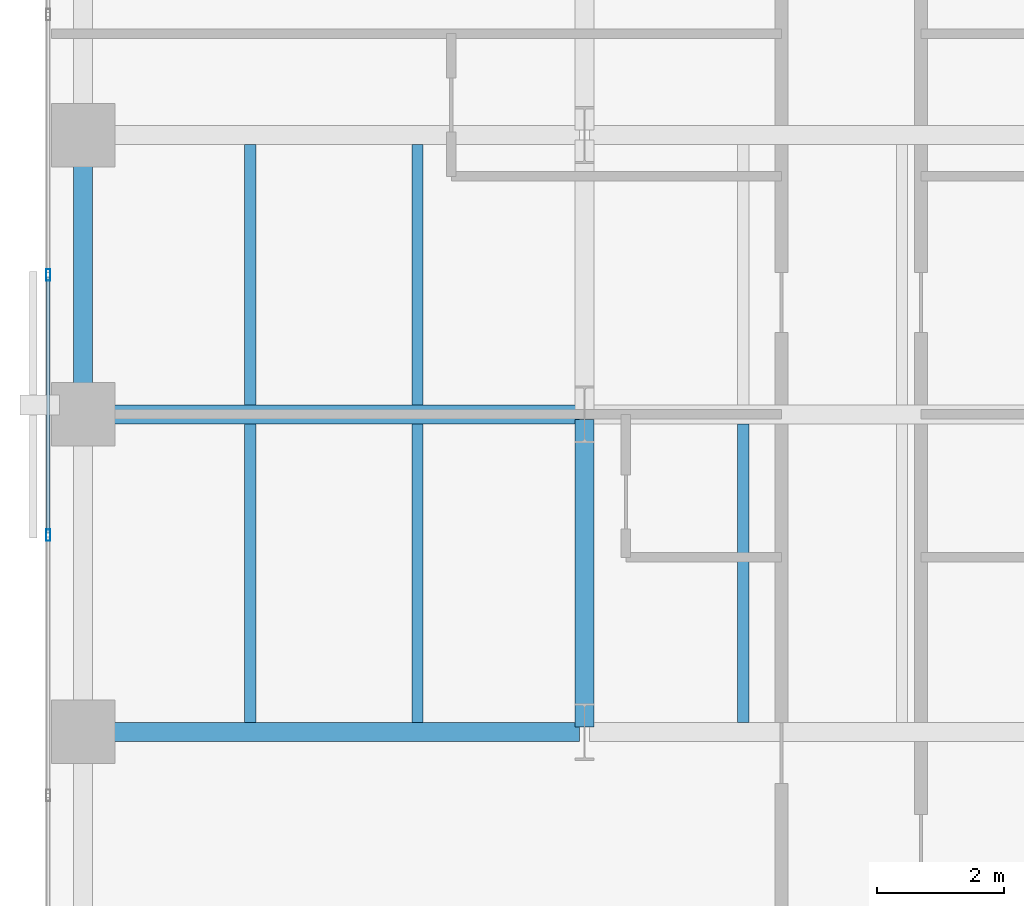
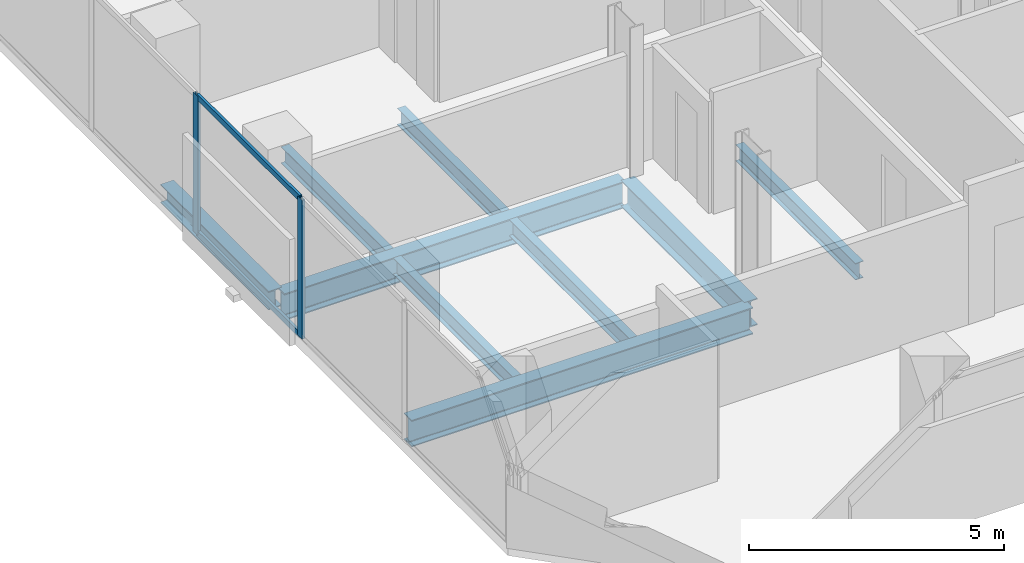
# One storey, part 4 of 32: 9 beams, 4 members, 1 element without a shape of its own.
"""IFC4 building model written with IfcOpenShell, lengths in metres."""

from ifc_helpers import new_model, si_unit, direction, frame, origin, origin_2d, place, context, subcontext, project, spatial, hollow_rectangle, i_section, extrude, material, layer, layer_set, material_profile, profile_set, type_object, element, aggregate, save


model = new_model("IFC4")

# Units and contexts
model_context = context("Model", 3, precision=1e-05, world=origin(), true_north=direction((0.0, 1.0)))
body_context = subcontext(model_context, "Body", "Model", "MODEL_VIEW")
ifc_project = project(units=[si_unit("LENGTHUNIT", "METRE"), si_unit("AREAUNIT", "SQUARE_METRE"), si_unit("VOLUMEUNIT", "CUBIC_METRE"), si_unit("PLANEANGLEUNIT", "RADIAN"), si_unit("MASSUNIT", "GRAM", prefix="KILO")], contexts=[model_context])

# Site, building, storey
site_placement = place(None, origin())
site = spatial("IfcSite", under=ifc_project, at=site_placement, CompositionType="ELEMENT")
building_placement = place(site_placement, origin())
building = spatial("IfcBuilding", under=site, at=building_placement, Name="Catumbela Crestline Tower", CompositionType="ELEMENT")
storey_placement = place(building_placement, frame((0.0, 0.0, 33.0)))
storey = spatial("IfcBuildingStorey", under=building, at=storey_placement, Name="L07", CompositionType="ELEMENT", Elevation=33.0)

# Beams
ifc_material_1 = material(Name="Structural steel S355J2", Category="steel")
ifc_material_profile_1 = material_profile(ifc_material_1, i_section(OverallWidth=0.3, OverallDepth=0.64, WebThickness=0.0135, FlangeThickness=0.026, FilletRadius=0.027, at=origin_2d()), Name="HEA 650")
ifc_profile_set_1 = profile_set([ifc_material_profile_1], Name="Structural steel S355J2")
beam_type_1 = type_object("IfcBeamType", Name="BG-HEA650", PredefinedType="BEAM", material=ifc_profile_set_1)
for number, where, z_axis, x_axis, name in (
    (1, (0.68, 8.6, -0.58), (1.0, 0.0, 0.0), (0.0, 1.0, 0.0), "L07 Beam BM-L07-WEW48"),
    (2, (0.68, 13.6, -0.58), (1.0, 0.0, 0.0), (0.0, 1.0, 0.0), "L07 Beam BM-L07-WEW51"),
):
    element("IfcBeam", number, at=place(storey_placement, frame(where, z_axis=z_axis, x_axis=x_axis)), inside=storey, type_object=beam_type_1, Name=name, PredefinedType="BEAM", context=body_context, shape_type="SweptSolid", body=[
        extrude(i_section(OverallWidth=0.3, OverallDepth=0.64, WebThickness=0.0135, FlangeThickness=0.026, FilletRadius=0.027, at=origin_2d()), origin(), (0.0, 0.0, 1.0), 7.74),
    ])
beam_1_placement = place(storey_placement, frame((8.5, 8.68, -0.58), z_axis=(0.0, 1.0, 0.0), x_axis=(-1.0, 0.0, 0.0)))
element("IfcBeam", 3, at=beam_1_placement, inside=storey, type_object=beam_type_1, Name="L07 Beam BM-L07-WNS61", PredefinedType="BEAM", context=body_context, shape_type="SweptSolid", body=[
    extrude(i_section(OverallWidth=0.3, OverallDepth=0.64, WebThickness=0.0135, FlangeThickness=0.026, FilletRadius=0.027, at=origin_2d()), origin(), (0.0, 0.0, 1.0), 4.84),
])
ifc_material_profile_2 = material_profile(ifc_material_1, i_section(OverallWidth=0.18, OverallDepth=0.4, WebThickness=0.0086, FlangeThickness=0.0135, FilletRadius=0.021, at=origin_2d()), Name="IPE 400")
ifc_profile_set_2 = profile_set([ifc_material_profile_2], Name="Structural steel S355J2")
beam_type_2 = type_object("IfcBeamType", Name="BJ-IPE400", PredefinedType="JOIST", material=ifc_profile_set_2)
for number, where, z_axis, x_axis, name in (
    (4, (3.233, 8.747, -0.46), (0.0, 1.0, 0.0), (-1.0, 0.0, 0.0), "L07 Joist JS-L07-WG70"),
    (5, (5.867, 8.747, -0.46), (0.0, 1.0, 0.0), (-1.0, 0.0, 0.0), "L07 Joist JS-L07-WG71"),
    (6, (11.0, 8.747, -0.46), (0.0, 1.0, 0.0), (-1.0, 0.0, 0.0), "L07 Joist JS-L07-WG72"),
):
    element("IfcBeam", number, at=place(storey_placement, frame(where, z_axis=z_axis, x_axis=x_axis)), inside=storey, type_object=beam_type_2, Name=name, PredefinedType="JOIST", context=body_context, shape_type="SweptSolid", body=[
        extrude(i_section(OverallWidth=0.18, OverallDepth=0.4, WebThickness=0.0086, FlangeThickness=0.0135, FilletRadius=0.021, at=origin_2d()), origin(), (0.0, 0.0, 1.0), 4.706),
    ])
for number, where, z_axis, x_axis, name in (
    (7, (3.233, 13.747, -0.46), (0.0, 1.0, 0.0), (-1.0, 0.0, 0.0), "L07 Joist JS-L07-WG76"),
    (8, (5.867, 13.747, -0.46), (0.0, 1.0, 0.0), (-1.0, 0.0, 0.0), "L07 Joist JS-L07-WG77"),
):
    element("IfcBeam", number, at=place(storey_placement, frame(where, z_axis=z_axis, x_axis=x_axis)), inside=storey, type_object=beam_type_2, Name=name, PredefinedType="JOIST", context=body_context, shape_type="SweptSolid", body=[
        extrude(i_section(OverallWidth=0.18, OverallDepth=0.4, WebThickness=0.0086, FlangeThickness=0.0135, FilletRadius=0.021, at=origin_2d()), origin(), (0.0, 0.0, 1.0), 4.106),
    ])

# Curtain wall, members
ifc_material_2 = material(Name="Aluminium alloy AW-6060-T66", Category="aluminium")
ifc_layer = layer(ifc_material_2, 0.18, Name="Aluminium alloy AW-6060-T66")
ifc_layer_set = layer_set([ifc_layer], Name="Aluminium alloy AW-6060-T66")
curtain_wall_type = type_object("IfcCurtainWallType", Name="CWU-Z1", PredefinedType="USERDEFINED", material=ifc_layer_set)
curtain_wall_placement = place(storey_placement, origin())
curtain_wall = element("IfcCurtainWall", 9, at=curtain_wall_placement, inside=storey, type_object=curtain_wall_type, Name="L07 Unitised Curtain Wall CW-L07-E9S1", ObjectType="UNITISED", PredefinedType="USERDEFINED")
ifc_material_profile_3 = material_profile(ifc_material_2, hollow_rectangle(XDim=0.065, YDim=0.18, WallThickness=0.004, at=origin_2d()), Name="ALU 180x65x4")
ifc_profile_set_3 = profile_set([ifc_material_profile_3], Name="Aluminium alloy AW-6060-T66")
member_type_1 = type_object("IfcMemberType", Name="MUL-180X65", PredefinedType="MULLION", material=ifc_profile_set_3)
member_1_placement = place(storey_placement, frame((0.05, 15.8, 0.0), z_axis=(0.0, 0.0, 1.0), x_axis=(1.0, 0.0, 0.0)))
member_1 = element("IfcMember", 10, at=member_1_placement, type_object=member_type_1, Name="CWU-Z1 mullion 8", PredefinedType="MULLION", context=body_context, shape_type="SweptSolid", body=[
    extrude(hollow_rectangle(XDim=0.065, YDim=0.18, WallThickness=0.004, at=origin_2d()), origin(), (0.0, 0.0, 1.0), 3.33),
])
member_2_placement = place(storey_placement, frame((0.05, 11.7, 0.0), z_axis=(0.0, 0.0, 1.0), x_axis=(1.0, 0.0, 0.0)))
member_2 = element("IfcMember", 11, at=member_2_placement, type_object=member_type_1, Name="CWU-Z1 mullion 9", PredefinedType="MULLION", context=body_context, shape_type="SweptSolid", body=[
    extrude(hollow_rectangle(XDim=0.065, YDim=0.18, WallThickness=0.004, at=origin_2d()), origin(), (0.0, 0.0, 1.0), 3.33),
])

# Beam
ifc_material_profile_4 = material_profile(ifc_material_1, i_section(OverallWidth=0.3, OverallDepth=0.45, WebThickness=0.014, FlangeThickness=0.026, FilletRadius=0.027, at=origin_2d()), Name="HEB 450")
ifc_profile_set_4 = profile_set([ifc_material_profile_4], Name="Structural steel S355J2")
beam_type_3 = type_object("IfcBeamType", Name="BS-HEB450", PredefinedType="SPANDREL", material=ifc_profile_set_4)
beam_2_placement = place(storey_placement, frame((0.6, 13.68, -0.485), z_axis=(0.0, 1.0, 0.0), x_axis=(-1.0, 0.0, 0.0)))
element("IfcBeam", 12, at=beam_2_placement, inside=storey, type_object=beam_type_3, Name="L07 Spandrel SP-L07-WNS59", PredefinedType="SPANDREL", context=body_context, shape_type="SweptSolid", body=[
    extrude(i_section(OverallWidth=0.3, OverallDepth=0.45, WebThickness=0.014, FlangeThickness=0.026, FilletRadius=0.027, at=origin_2d()), origin(), (0.0, 0.0, 1.0), 4.24),
])

# Member
ifc_material_profile_5 = material_profile(ifc_material_2, hollow_rectangle(XDim=0.06, YDim=0.14, WallThickness=0.004, at=origin_2d()), Name="ALU 140x60x4")
ifc_profile_set_5 = profile_set([ifc_material_profile_5], Name="Aluminium alloy AW-6060-T66")
member_type_2 = type_object("IfcMemberType", Name="TRN-140X60", PredefinedType="USERDEFINED", material=ifc_profile_set_5)
member_3_placement = place(storey_placement, frame((0.05, 15.7675, 0.03), z_axis=(0.0, -1.0, 0.0), x_axis=(1.0, 0.0, 0.0)))
member_3 = element("IfcMember", 13, at=member_3_placement, type_object=member_type_2, Name="CWU-Z1 transom 8.1", ObjectType="TRANSOM", PredefinedType="USERDEFINED", context=body_context, shape_type="SweptSolid", body=[
    extrude(hollow_rectangle(XDim=0.06, YDim=0.14, WallThickness=0.004, at=origin_2d()), origin(), (0.0, 0.0, 1.0), 4.035),
])

member_4_placement = place(storey_placement, frame((0.05, 15.7675, 3.3), z_axis=(0.0, -1.0, 0.0), x_axis=(1.0, 0.0, 0.0)))
member_4 = element("IfcMember", 14, at=member_4_placement, type_object=member_type_2, Name="CWU-Z1 transom 8.2", ObjectType="TRANSOM", PredefinedType="USERDEFINED", context=body_context, shape_type="SweptSolid", body=[
    extrude(hollow_rectangle(XDim=0.06, YDim=0.14, WallThickness=0.004, at=origin_2d()), origin(), (0.0, 0.0, 1.0), 4.035),
])

aggregate(curtain_wall, [member_1, member_2, member_3, member_4])

save(model, "model.ifc")
